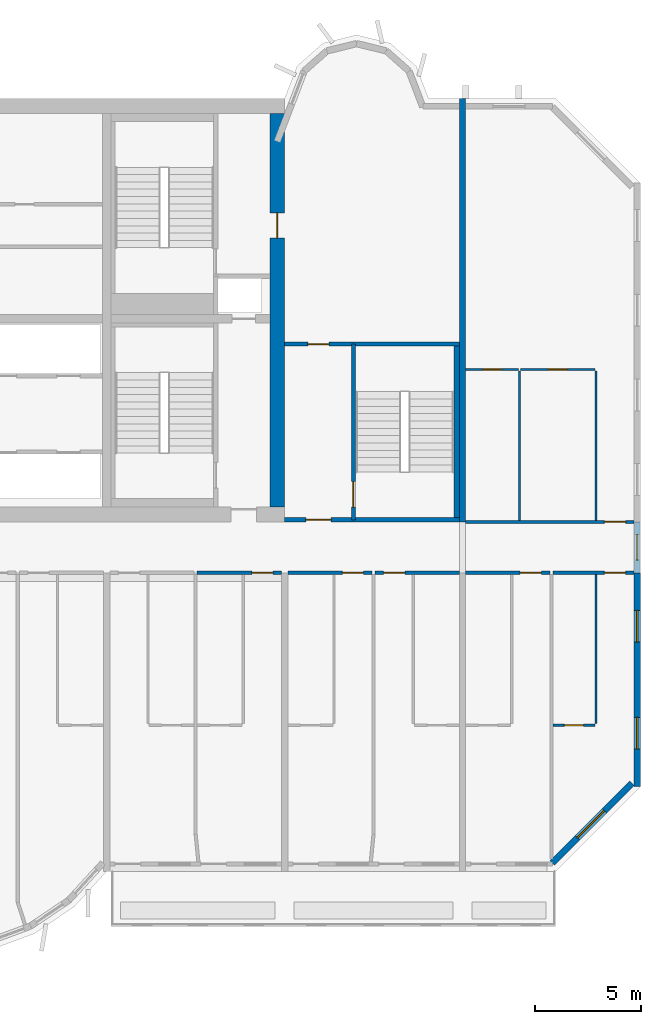
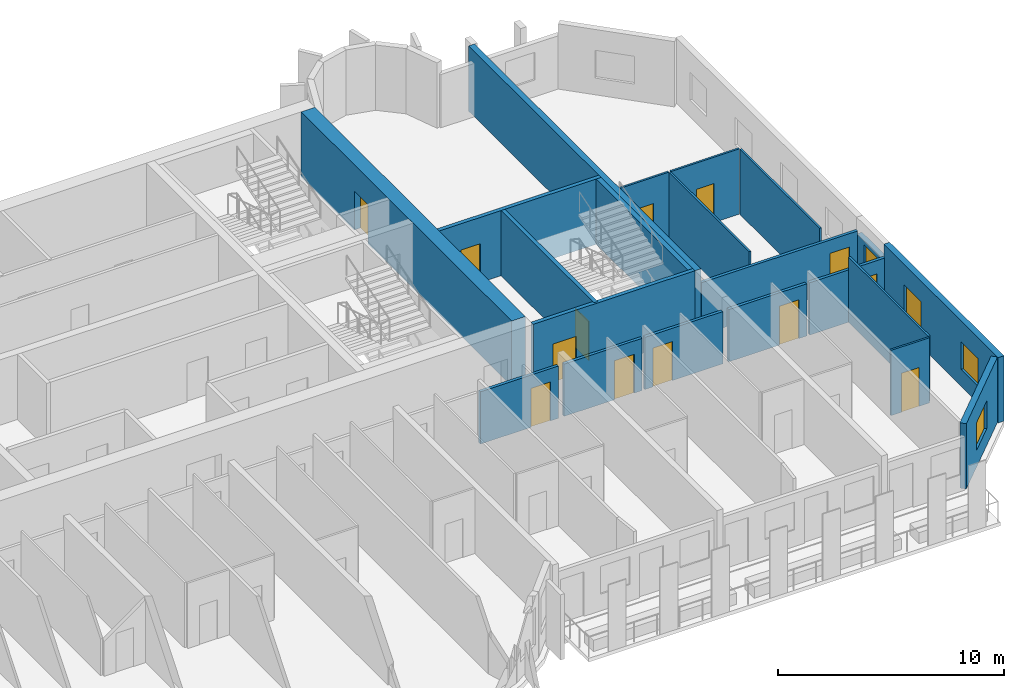
# One storey, part 9 of 13: 21 walls, 13 doors, 4 windows, 17 openings.
"""IFC4 building model written with IfcOpenShell, lengths in metres."""

from ifc_helpers import new_model, si_unit, direction, frame, frame_2d, origin, place, context, subcontext, project, spatial, rectangle, extrude, source, transform, mapped, material, layer, layer_set, type_object, element, fill, save


model = new_model("IFC4")

# Units and contexts
model_context = context("Model", 3, precision=1e-05, world=origin(), true_north=direction((0.0, 1.0)))
body_context = subcontext(model_context, "Body", "Model", "MODEL_VIEW")
ifc_project = project(units=[si_unit("LENGTHUNIT", "METRE"), si_unit("AREAUNIT", "SQUARE_METRE"), si_unit("VOLUMEUNIT", "CUBIC_METRE"), si_unit("PLANEANGLEUNIT", "RADIAN"), si_unit("MASSUNIT", "GRAM", prefix="KILO")], contexts=[model_context])

# Site, building, storey
site_placement = place(None, origin())
site = spatial("IfcSite", under=ifc_project, at=site_placement, CompositionType="ELEMENT")
building_placement = place(site_placement, origin())
building = spatial("IfcBuilding", under=site, at=building_placement, Name="Vanashikhar Sky Hotel", CompositionType="ELEMENT")
storey_placement = place(building_placement, frame((0.0, 0.0, 178.199951171875)))
storey = spatial("IfcBuildingStorey", under=building, at=storey_placement, Name="L43", CompositionType="ELEMENT", Elevation=178.199951171875)

# Wall, opening, door
ifc_material_1 = material(Name="Concrete M60", Category="concrete")
ifc_layer_1 = layer(ifc_material_1, 0.699951171875)
ifc_layer_set_1 = layer_set([ifc_layer_1], Name="RC core shell wall 700 Concrete M60")
wall_type_1 = type_object("IfcWallType", Name="RC core shell wall 700 Concrete M60", PredefinedType="SHEAR", material=ifc_layer_set_1)
shared_shape_1 = source(origin(), body_context, "Body", "SweptSolid", [
    extrude(rectangle(XDim=18.60009765625, YDim=0.699951171875, at=frame_2d((9.300048828125, 0.0))), origin(), (0.0, 0.0, 1.0), 3.52001953125),
])
wall_1_placement = place(storey_placement, frame((75.25, 22.699951171875, 0.0), z_axis=(0.0, 0.0, 1.0), x_axis=(0.0, 1.0, 0.0)))
wall_1 = element("IfcWall", 1, at=wall_1_placement, inside=storey, type_object=wall_type_1, Name="KW-L43-KE", PredefinedType="SHEAR", context=body_context, shape_type="MappedRepresentation", body=[
    mapped(shared_shape_1, transform((0.0, 0.0, 0.0), scale=1.0)),
])
shared_shape_2 = source(origin(), body_context, "Body", "SweptSolid", [
    extrude(rectangle(XDim=1.199951171875, YDim=2.10009765625, at=frame_2d((0.60009765625, 1.050048828125))), frame((0.0, 0.35986328125, 0.0), z_axis=(0.0, -1.0, 0.0), x_axis=(1.0, 0.0, 0.0)), (0.0, 0.0, 1.0), 0.719970703125),
])
opening_1_placement = place(wall_1_placement, frame((12.699951171875, 0.0, 0.0)))
opening_1 = element("IfcOpeningElement", 2, at=opening_1_placement, cuts=wall_1, Name="Opening DC-4-D", PredefinedType="OPENING", context=body_context, shape_type="MappedRepresentation", body=[
    mapped(shared_shape_2, transform((0.0, 0.0, 0.0), scale=1.0)),
])
ifc_material_2 = material(Name="Steel", Category="steel")
door_type_1 = type_object("IfcDoorType", Name="Service door 1200 FD120", OperationType="NOTDEFINED", PredefinedType="DOOR", material=ifc_material_2)
shared_shape_3 = source(origin(), body_context, "Body", "SweptSolid", [
    extrude(rectangle(XDim=1.199951171875, YDim=2.10009765625, at=frame_2d((0.60009765625, 1.050048828125))), frame((0.0, 0.02490234375, 0.0), z_axis=(0.0, -1.0, 0.0), x_axis=(1.0, 0.0, 0.0)), (0.0, 0.0, 1.0), 0.050048828125),
])
door_1_placement = place(opening_1_placement, origin())
door_1 = element("IfcDoor", 3, at=door_1_placement, inside=storey, type_object=door_type_1, Name="Service door 1200 FD120", OperationType="SINGLE_SWING_LEFT", OverallHeight=2.10009765625, OverallWidth=1.199951171875, PredefinedType="DOOR", context=body_context, shape_type="MappedRepresentation", body=[
    mapped(shared_shape_3, transform((0.0, 0.0, 0.0), scale=1.0)),
])
fill(opening_1, door_1)

# Wall, openings, windows
ifc_layer_2 = layer(ifc_material_1, 0.300048828125)
ifc_layer_set_2 = layer_set([ifc_layer_2], Name="RC shear wall 300 Concrete M60")
wall_type_2 = type_object("IfcWallType", Name="RC shear wall 300 Concrete M60", PredefinedType="SHEAR", material=ifc_layer_set_2)
shared_shape_4 = source(origin(), body_context, "Body", "SweptSolid", [
    extrude(rectangle(XDim=10.10009765625, YDim=0.300048828125, at=frame_2d((5.050048828125, 0.0))), origin(), (0.0, 0.0, 1.0), 3.52001953125),
])
wall_2_placement = place(storey_placement, frame((92.25, 9.5, 0.0), z_axis=(0.0, 0.0, 1.0), x_axis=(0.0, 1.0, 0.0)))
wall_2 = element("IfcWall", 4, at=wall_2_placement, inside=storey, type_object=wall_type_2, Name="CW-L43-XW12-1", PredefinedType="SHEAR", context=body_context, shape_type="MappedRepresentation", body=[
    mapped(shared_shape_4, transform((0.0, 0.0, 0.0), scale=1.0)),
])
shared_shape_5 = source(origin(), body_context, "Body", "SweptSolid", [
    extrude(rectangle(XDim=1.5, YDim=1.5, at=frame_2d((0.75, 0.75))), frame((0.0, 0.16015625, 0.0), z_axis=(0.0, -1.0, 0.0), x_axis=(1.0, 0.0, 0.0)), (0.0, 0.0, 1.0), 0.320068359375),
])
opening_2_placement = place(wall_2_placement, frame((1.77490234375, 0.0, 0.89990234375)))
opening_2 = element("IfcOpeningElement", 5, at=opening_2_placement, cuts=wall_2, Name="Opening WN-1", PredefinedType="OPENING", context=body_context, shape_type="MappedRepresentation", body=[
    mapped(shared_shape_5, transform((0.0, 0.0, 0.0), scale=1.0)),
])
opening_3_placement = place(wall_2_placement, frame((6.824951171875, 0.0, 0.89990234375)))
opening_3 = element("IfcOpeningElement", 6, at=opening_3_placement, cuts=wall_2, Name="Opening WN-1", PredefinedType="OPENING", context=body_context, shape_type="MappedRepresentation", body=[
    mapped(shared_shape_5, transform((0.0, 0.0, 0.0), scale=1.0)),
])
ifc_material_3 = material(Name="Glass", Category="glass")
window_type_1 = type_object("IfcWindowType", Name="Window 1500 x 1500", PartitioningType="SINGLE_PANEL", PredefinedType="WINDOW", material=ifc_material_3)
shared_shape_6 = source(origin(), body_context, "Body", "SweptSolid", [
    extrude(rectangle(XDim=1.5, YDim=1.5, at=frame_2d((0.75, 0.75))), frame((0.0, 0.030029296875, 0.0), z_axis=(0.0, -1.0, 0.0), x_axis=(1.0, 0.0, 0.0)), (0.0, 0.0, 1.0), 0.06005859375),
])
window_1_placement = place(opening_2_placement, origin())
window_1 = element("IfcWindow", 7, at=window_1_placement, inside=storey, type_object=window_type_1, Name="Window WN-1", OverallHeight=1.5, OverallWidth=1.5, PartitioningType="SINGLE_PANEL", PredefinedType="WINDOW", context=body_context, shape_type="MappedRepresentation", body=[
    mapped(shared_shape_6, transform((0.0, 0.0, 0.0), scale=1.0)),
])
fill(opening_2, window_1)
window_2_placement = place(opening_3_placement, origin())
window_2 = element("IfcWindow", 8, at=window_2_placement, inside=storey, type_object=window_type_1, Name="Window WN-1", OverallHeight=1.5, OverallWidth=1.5, PartitioningType="SINGLE_PANEL", PredefinedType="WINDOW", context=body_context, shape_type="MappedRepresentation", body=[
    mapped(shared_shape_6, transform((0.0, 0.0, 0.0), scale=1.0)),
])
fill(opening_3, window_2)

# Wall
shared_shape_7 = source(origin(), body_context, "Body", "SweptSolid", [
    extrude(rectangle(XDim=20.0, YDim=0.300048828125, at=frame_2d((10.0, 0.0))), origin(), (0.0, 0.0, 1.0), 3.52001953125),
])
wall_3_placement = place(storey_placement, frame((84.0, 22.0, 0.0), z_axis=(0.0, 0.0, 1.0), x_axis=(0.0, 1.0, 0.0)))
element("IfcWall", 9, at=wall_3_placement, inside=storey, type_object=wall_type_2, Name="CW-L43-XW11-2", PredefinedType="SHEAR", context=body_context, shape_type="MappedRepresentation", body=[
    mapped(shared_shape_7, transform((0.0, 0.0, 0.0), scale=1.0)),
])

# Wall, opening, window
ifc_material_4 = material(Name="Concrete M50", Category="concrete")
ifc_layer_3 = layer(ifc_material_4, 0.300048828125)
ifc_layer_set_3 = layer_set([ifc_layer_3], Name="Lobe wall 300")
wall_type_3 = type_object("IfcWallType", Name="Lobe wall 300", PredefinedType="SOLIDWALL", material=ifc_layer_set_3)
shared_shape_8 = source(origin(), body_context, "Body", "SweptSolid", [
    extrude(rectangle(XDim=5.32568359375, YDim=0.300048828125, at=frame_2d((2.662841796875, 0.0))), origin(), (0.0, 0.0, 1.0), 3.52001953125),
])
wall_4_placement = place(storey_placement, frame((88.234375, 5.89990234375, 0.0), z_axis=(0.0, 0.0, 1.0), x_axis=(0.707083859269, 0.707129702361, 0.0)))
wall_4 = element("IfcWall", 10, at=wall_4_placement, inside=storey, type_object=wall_type_3, Name="Corner wall", PredefinedType="SOLIDWALL", context=body_context, shape_type="MappedRepresentation", body=[
    mapped(shared_shape_8, transform((0.0, 0.0, 0.0), scale=1.0)),
])
shared_shape_9 = source(origin(), body_context, "Body", "SweptSolid", [
    extrude(rectangle(XDim=1.800048828125, YDim=1.5, at=frame_2d((0.89990234375, 0.75))), frame((0.0, 0.16015625, 0.0), z_axis=(0.0, -1.0, 0.0), x_axis=(1.0, 0.0, 0.0)), (0.0, 0.0, 1.0), 0.320068359375),
])
opening_4_placement = place(wall_4_placement, frame((1.689453125, 0.0, 0.89990234375)))
opening_4 = element("IfcOpeningElement", 11, at=opening_4_placement, cuts=wall_4, Name="Opening WN-4", PredefinedType="OPENING", context=body_context, shape_type="MappedRepresentation", body=[
    mapped(shared_shape_9, transform((0.0, 0.0, 0.0), scale=1.0)),
])
window_type_2 = type_object("IfcWindowType", Name="Corner window 1800 x 1500", PartitioningType="SINGLE_PANEL", PredefinedType="WINDOW", material=ifc_material_3)
shared_shape_10 = source(origin(), body_context, "Body", "SweptSolid", [
    extrude(rectangle(XDim=1.800048828125, YDim=1.5, at=frame_2d((0.89990234375, 0.75))), frame((0.0, 0.030029296875, 0.0), z_axis=(0.0, -1.0, 0.0), x_axis=(1.0, 0.0, 0.0)), (0.0, 0.0, 1.0), 0.06005859375),
])
window_3_placement = place(opening_4_placement, origin())
window_3 = element("IfcWindow", 12, at=window_3_placement, inside=storey, type_object=window_type_2, Name="Window WN-4", OverallHeight=1.5, OverallWidth=1.800048828125, PartitioningType="SINGLE_PANEL", PredefinedType="WINDOW", context=body_context, shape_type="MappedRepresentation", body=[
    mapped(shared_shape_10, transform((0.0, 0.0, 0.0), scale=1.0)),
])
fill(opening_4, window_3)

ifc_layer_4 = layer(ifc_material_4, 0.25)
ifc_layer_set_4 = layer_set([ifc_layer_4], Name="Rear and end board-marked wall 250")
wall_type_4 = type_object("IfcWallType", Name="Rear and end board-marked wall 250", PredefinedType="SOLIDWALL", material=ifc_layer_set_4)
shared_shape_11 = source(origin(), body_context, "Body", "SweptSolid", [
    extrude(rectangle(XDim=2.39990234375, YDim=0.25, at=frame_2d((1.199951171875, 0.0))), origin(), (0.0, 0.0, 1.0), 2.6201171875),
])
wall_5_placement = place(storey_placement, frame((92.25, 19.60009765625, 0.0), z_axis=(0.0, 0.0, 1.0), x_axis=(0.0, 1.0, 0.0)))
wall_5 = element("IfcWall", 13, at=wall_5_placement, inside=storey, type_object=wall_type_4, Name="End corridor infill wall", PredefinedType="SOLIDWALL", context=body_context, shape_type="MappedRepresentation", body=[
    mapped(shared_shape_11, transform((0.0, 0.0, 0.0), scale=1.0)),
])
shared_shape_12 = source(origin(), body_context, "Body", "SweptSolid", [
    extrude(rectangle(XDim=1.199951171875, YDim=1.5, at=frame_2d((0.60009765625, 0.75))), frame((0.0, 0.135009765625, 0.0), z_axis=(0.0, -1.0, 0.0), x_axis=(1.0, 0.0, 0.0)), (0.0, 0.0, 1.0), 0.27001953125),
])
opening_5_placement = place(wall_5_placement, frame((0.60009765625, 0.0, 0.89990234375)))
opening_5 = element("IfcOpeningElement", 14, at=opening_5_placement, cuts=wall_5, Name="Opening WN-3", PredefinedType="OPENING", context=body_context, shape_type="MappedRepresentation", body=[
    mapped(shared_shape_12, transform((0.0, 0.0, 0.0), scale=1.0)),
])
window_type_3 = type_object("IfcWindowType", Name="Corridor end window 1200 x 1500", PartitioningType="SINGLE_PANEL", PredefinedType="WINDOW", material=ifc_material_3)
shared_shape_13 = source(origin(), body_context, "Body", "SweptSolid", [
    extrude(rectangle(XDim=1.199951171875, YDim=1.5, at=frame_2d((0.60009765625, 0.75))), frame((0.0, 0.030029296875, 0.0), z_axis=(0.0, -1.0, 0.0), x_axis=(1.0, 0.0, 0.0)), (0.0, 0.0, 1.0), 0.06005859375),
])
window_4_placement = place(opening_5_placement, origin())
window_4 = element("IfcWindow", 15, at=window_4_placement, inside=storey, type_object=window_type_3, Name="Window WN-3", OverallHeight=1.5, OverallWidth=1.199951171875, PartitioningType="SINGLE_PANEL", PredefinedType="WINDOW", context=body_context, shape_type="MappedRepresentation", body=[
    mapped(shared_shape_13, transform((0.0, 0.0, 0.0), scale=1.0)),
])
fill(opening_5, window_4)

# Wall, opening, door
ifc_layer_5 = layer(ifc_material_4, 0.199951171875)
ifc_layer_set_5 = layer_set([ifc_layer_5], Name="Stair wall 200")
wall_type_5 = type_object("IfcWallType", Name="Stair wall 200", PredefinedType="SOLIDWALL", material=ifc_layer_set_5)
shared_shape_14 = source(origin(), body_context, "Body", "SweptSolid", [
    extrude(rectangle(XDim=8.2998046875, YDim=0.199951171875, at=frame_2d((4.14990234375, 0.0))), origin(), (0.0, 0.0, 1.0), 3.52001953125),
])
wall_6_placement = place(storey_placement, frame((78.85009765625, 22.10009765625, 0.0), z_axis=(0.0, 0.0, 1.0), x_axis=(0.0, 1.0, 0.0)))
wall_6 = element("IfcWall", 16, at=wall_6_placement, inside=storey, type_object=wall_type_5, Name="Stair wall 200", PredefinedType="SOLIDWALL", context=body_context, shape_type="MappedRepresentation", body=[
    mapped(shared_shape_14, transform((0.0, 0.0, 0.0), scale=1.0)),
])
shared_shape_15 = source(origin(), body_context, "Body", "SweptSolid", [
    extrude(rectangle(XDim=1.199951171875, YDim=2.10009765625, at=frame_2d((0.60009765625, 1.050048828125))), frame((0.0, 0.10986328125, 0.0), z_axis=(0.0, -1.0, 0.0), x_axis=(1.0, 0.0, 0.0)), (0.0, 0.0, 1.0), 0.219970703125),
])
opening_6_placement = place(wall_6_placement, frame((0.60009765625, 0.0, 0.0)))
opening_6 = element("IfcOpeningElement", 17, at=opening_6_placement, cuts=wall_6, Name="Opening DC-1", PredefinedType="OPENING", context=body_context, shape_type="MappedRepresentation", body=[
    mapped(shared_shape_15, transform((0.0, 0.0, 0.0), scale=1.0)),
])
door_type_2 = type_object("IfcDoorType", Name="Stair door 1200 FD120", OperationType="NOTDEFINED", PredefinedType="DOOR", material=ifc_material_2)
door_2_placement = place(opening_6_placement, origin())
door_2 = element("IfcDoor", 18, at=door_2_placement, inside=storey, type_object=door_type_2, Name="Stair door 1200 FD120", OperationType="SINGLE_SWING_RIGHT", OverallHeight=2.10009765625, OverallWidth=1.199951171875, PredefinedType="DOOR", context=body_context, shape_type="MappedRepresentation", body=[
    mapped(shared_shape_3, transform((0.0, 0.0, 0.0), scale=1.0)),
])
fill(opening_6, door_2)

shared_shape_16 = source(origin(), body_context, "Body", "SweptSolid", [
    extrude(rectangle(XDim=8.25, YDim=0.199951171875, at=frame_2d((4.125, 0.0))), origin(), (0.0, 0.0, 1.0), 3.52001953125),
])
wall_7_placement = place(storey_placement, frame((83.85009765625, 22.10009765625, 0.0), z_axis=(0.0, 0.0, 1.0), x_axis=(-1.0, 0.0, 0.0)))
wall_7 = element("IfcWall", 19, at=wall_7_placement, inside=storey, type_object=wall_type_5, Name="Stair wall 200", PredefinedType="SOLIDWALL", context=body_context, shape_type="MappedRepresentation", body=[
    mapped(shared_shape_16, transform((0.0, 0.0, 0.0), scale=1.0)),
])
opening_7_placement = place(wall_7_placement, frame((6.050048828125, 0.0, 0.0)))
opening_7 = element("IfcOpeningElement", 20, at=opening_7_placement, cuts=wall_7, Name="Opening DC-2", PredefinedType="OPENING", context=body_context, shape_type="MappedRepresentation", body=[
    mapped(shared_shape_15, transform((0.0, 0.0, 0.0), scale=1.0)),
])
door_type_3 = type_object("IfcDoorType", Name="Firefighting lobby door 1200 FD120", OperationType="NOTDEFINED", PredefinedType="DOOR", material=ifc_material_2)
door_3_placement = place(opening_7_placement, origin())
door_3 = element("IfcDoor", 21, at=door_3_placement, inside=storey, type_object=door_type_3, Name="Firefighting lobby door 1200 FD120", OperationType="SINGLE_SWING_LEFT", OverallHeight=2.10009765625, OverallWidth=1.199951171875, PredefinedType="DOOR", context=body_context, shape_type="MappedRepresentation", body=[
    mapped(shared_shape_3, transform((0.0, 0.0, 0.0), scale=1.0)),
])
fill(opening_7, door_3)

wall_8_placement = place(storey_placement, frame((83.85009765625, 30.39990234375, 0.0), z_axis=(0.0, 0.0, 1.0), x_axis=(-1.0, 0.0, 0.0)))
wall_8 = element("IfcWall", 22, at=wall_8_placement, inside=storey, type_object=wall_type_5, Name="Stair wall 200", PredefinedType="SOLIDWALL", context=body_context, shape_type="MappedRepresentation", body=[
    mapped(shared_shape_16, transform((0.0, 0.0, 0.0), scale=1.0)),
])
shared_shape_17 = source(origin(), body_context, "Body", "SweptSolid", [
    extrude(rectangle(XDim=1.0, YDim=2.10009765625, at=frame_2d((0.5, 1.050048828125))), frame((0.0, 0.10986328125, 0.0), z_axis=(0.0, -1.0, 0.0), x_axis=(1.0, 0.0, 0.0)), (0.0, 0.0, 1.0), 0.219970703125),
])
opening_8_placement = place(wall_8_placement, frame((6.14990234375, 0.0, 0.0)))
opening_8 = element("IfcOpeningElement", 23, at=opening_8_placement, cuts=wall_8, Name="Opening DC-6", PredefinedType="OPENING", context=body_context, shape_type="MappedRepresentation", body=[
    mapped(shared_shape_17, transform((0.0, 0.0, 0.0), scale=1.0)),
])
door_type_4 = type_object("IfcDoorType", Name="Pocket door 1000 FD60", OperationType="NOTDEFINED", PredefinedType="DOOR", material=ifc_material_2)
shared_shape_18 = source(origin(), body_context, "Body", "SweptSolid", [
    extrude(rectangle(XDim=1.0, YDim=2.10009765625, at=frame_2d((0.5, 1.050048828125))), frame((0.0, 0.02490234375, 0.0), z_axis=(0.0, -1.0, 0.0), x_axis=(1.0, 0.0, 0.0)), (0.0, 0.0, 1.0), 0.050048828125),
])
door_4_placement = place(opening_8_placement, origin())
door_4 = element("IfcDoor", 24, at=door_4_placement, inside=storey, type_object=door_type_4, Name="Pocket door 1000 FD60", OperationType="SINGLE_SWING_LEFT", OverallHeight=2.10009765625, OverallWidth=1.0, PredefinedType="DOOR", context=body_context, shape_type="MappedRepresentation", body=[
    mapped(shared_shape_18, transform((0.0, 0.0, 0.0), scale=1.0)),
])
fill(opening_8, door_4)

# Walls
ifc_layer_6 = layer(ifc_material_4, 0.25)
ifc_layer_set_6 = layer_set([ifc_layer_6], Name="Stair infill wall 250")
wall_type_6 = type_object("IfcWallType", Name="Stair infill wall 250", PredefinedType="SOLIDWALL", material=ifc_layer_set_6)
shared_shape_19 = source(origin(), body_context, "Body", "SweptSolid", [
    extrude(rectangle(XDim=8.10009765625, YDim=0.25, at=frame_2d((4.050048828125, 0.0))), origin(), (0.0, 0.0, 1.0), 3.52001953125),
])
wall_9_placement = place(storey_placement, frame((83.72509765625, 22.199951171875, 0.0), z_axis=(0.0, 0.0, 1.0), x_axis=(0.0, 1.0, 0.0)))
element("IfcWall", 25, at=wall_9_placement, inside=storey, type_object=wall_type_6, Name="Stair infill wall 250", PredefinedType="SOLIDWALL", context=body_context, shape_type="MappedRepresentation", body=[
    mapped(shared_shape_19, transform((0.0, 0.0, 0.0), scale=1.0)),
])
ifc_material_5 = material(Name="Gypsum plasterboard partition")
ifc_layer_7 = layer(ifc_material_5, 0.10009765625)
ifc_layer_set_7 = layer_set([ifc_layer_7], Name="Wet room partition 100")
wall_type_7 = type_object("IfcWallType", Name="Wet room partition 100", PredefinedType="PARTITIONING", material=ifc_layer_set_7)
shared_shape_20 = source(origin(), body_context, "Body", "SweptSolid", [
    extrude(rectangle(XDim=7.0498046875, YDim=0.10009765625, at=frame_2d((3.52490234375, 0.0))), origin(), (0.0, 0.0, 1.0), 3.52001953125),
])
wall_10_placement = place(storey_placement, frame((90.300048828125, 12.47509765625, 0.0), z_axis=(0.0, 0.0, 1.0), x_axis=(0.0, 1.0, 0.0)))
element("IfcWall", 26, at=wall_10_placement, inside=storey, type_object=wall_type_7, Name="W-L43-PW065", PredefinedType="PARTITIONING", context=body_context, shape_type="MappedRepresentation", body=[
    mapped(shared_shape_20, transform((0.0, 0.0, 0.0), scale=1.0)),
])
shared_shape_21 = source(origin(), body_context, "Body", "SweptSolid", [
    extrude(rectangle(XDim=7.050048828125, YDim=0.10009765625, at=frame_2d((3.52490234375, 0.0))), origin(), (0.0, 0.0, 1.0), 3.52001953125),
])
for number, where, z_axis, x_axis, name in (
    (27, (90.300048828125, 22.074951171875, 0.0), (0.0, 0.0, 1.0), (0.0, 1.0, 0.0), "W-L43-PW078"),
    (28, (86.699951171875, 22.074951171875, 0.0), (0.0, 0.0, 1.0), (0.0, 1.0, 0.0), "W-L43-PW079"),
):
    element("IfcWall", number, at=place(storey_placement, frame(where, z_axis=z_axis, x_axis=x_axis)), inside=storey, type_object=wall_type_7, Name=name, PredefinedType="PARTITIONING", context=body_context, shape_type="MappedRepresentation", body=[
        mapped(shared_shape_21, transform((0.0, 0.0, 0.0), scale=1.0)),
    ])

# Wall, opening, door
shared_shape_22 = source(origin(), body_context, "Body", "SweptSolid", [
    extrude(rectangle(XDim=3.5, YDim=0.10009765625, at=frame_2d((1.75, 0.0))), origin(), (0.0, 0.0, 1.0), 3.52001953125),
])
wall_11_placement = place(storey_placement, frame((86.75, 29.199951171875, 0.0), z_axis=(0.0, 0.0, 1.0), x_axis=(1.0, 0.0, 0.0)))
wall_11 = element("IfcWall", 29, at=wall_11_placement, inside=storey, type_object=wall_type_7, Name="W-L43-PW080", PredefinedType="PARTITIONING", context=body_context, shape_type="MappedRepresentation", body=[
    mapped(shared_shape_22, transform((0.0, 0.0, 0.0), scale=1.0)),
])
shared_shape_23 = source(origin(), body_context, "Body", "SweptSolid", [
    extrude(rectangle(XDim=0.89990234375, YDim=2.10009765625, at=frame_2d((0.449951171875, 1.050048828125))), frame((0.0, 0.06005859375, 0.0), z_axis=(0.0, -1.0, 0.0), x_axis=(1.0, 0.0, 0.0)), (0.0, 0.0, 1.0), 0.1201171875),
])
opening_9_placement = place(wall_11_placement, frame((1.300048828125, 0.0, 0.0)))
opening_9 = element("IfcOpeningElement", 30, at=opening_9_placement, cuts=wall_11, Name="Opening D-02", PredefinedType="OPENING", context=body_context, shape_type="MappedRepresentation", body=[
    mapped(shared_shape_23, transform((0.0, 0.0, 0.0), scale=1.0)),
])
ifc_material_6 = material(Name="Timber door", Category="wood")
door_type_5 = type_object("IfcDoorType", Name="Internal door 900", OperationType="NOTDEFINED", PredefinedType="DOOR", material=ifc_material_6)
shared_shape_24 = source(origin(), body_context, "Body", "SweptSolid", [
    extrude(rectangle(XDim=0.89990234375, YDim=2.10009765625, at=frame_2d((0.449951171875, 1.050048828125))), frame((0.0, 0.02490234375, 0.0), z_axis=(0.0, -1.0, 0.0), x_axis=(1.0, 0.0, 0.0)), (0.0, 0.0, 1.0), 0.050048828125),
])
door_5_placement = place(opening_9_placement, origin())
door_5 = element("IfcDoor", 31, at=door_5_placement, inside=storey, type_object=door_type_5, Name="D-L43-044", OperationType="SINGLE_SWING_RIGHT", OverallHeight=2.10009765625, OverallWidth=0.89990234375, PredefinedType="DOOR", context=body_context, shape_type="MappedRepresentation", body=[
    mapped(shared_shape_24, transform((0.0, 0.0, 0.0), scale=1.0)),
])
fill(opening_9, door_5)

shared_shape_25 = source(origin(), body_context, "Body", "SweptSolid", [
    extrude(rectangle(XDim=2.5, YDim=0.10009765625, at=frame_2d((1.25, 0.0))), origin(), (0.0, 0.0, 1.0), 3.52001953125),
])
wall_12_placement = place(storey_placement, frame((84.14990234375, 29.199951171875, 0.0), z_axis=(0.0, 0.0, 1.0), x_axis=(1.0, 0.0, 0.0)))
wall_12 = element("IfcWall", 32, at=wall_12_placement, inside=storey, type_object=wall_type_7, Name="W-L43-PW081", PredefinedType="PARTITIONING", context=body_context, shape_type="MappedRepresentation", body=[
    mapped(shared_shape_25, transform((0.0, 0.0, 0.0), scale=1.0)),
])
opening_10_placement = place(wall_12_placement, frame((0.800048828125, 0.0, 0.0)))
opening_10 = element("IfcOpeningElement", 33, at=opening_10_placement, cuts=wall_12, Name="Opening D-02", PredefinedType="OPENING", context=body_context, shape_type="MappedRepresentation", body=[
    mapped(shared_shape_23, transform((0.0, 0.0, 0.0), scale=1.0)),
])
door_6_placement = place(opening_10_placement, origin())
door_6 = element("IfcDoor", 34, at=door_6_placement, inside=storey, type_object=door_type_5, Name="D-L43-045", OperationType="SINGLE_SWING_RIGHT", OverallHeight=2.10009765625, OverallWidth=0.89990234375, PredefinedType="DOOR", context=body_context, shape_type="MappedRepresentation", body=[
    mapped(shared_shape_24, transform((0.0, 0.0, 0.0), scale=1.0)),
])
fill(opening_10, door_6)

ifc_layer_8 = layer(ifc_material_5, 0.14990234375)
ifc_layer_set_8 = layer_set([ifc_layer_8], Name="Corridor and demising partition 150")
wall_type_8 = type_object("IfcWallType", Name="Corridor and demising partition 150", PredefinedType="PARTITIONING", material=ifc_layer_set_8)
shared_shape_26 = source(origin(), body_context, "Body", "SweptSolid", [
    extrude(rectangle(XDim=7.9501953125, YDim=0.14990234375, at=frame_2d((3.97509765625, 0.0))), origin(), (0.0, 0.0, 1.0), 2.820068359375),
])
wall_13_placement = place(storey_placement, frame((84.14990234375, 22.0, 0.0), z_axis=(0.0, 0.0, 1.0), x_axis=(1.0, 0.0, 0.0)))
wall_13 = element("IfcWall", 35, at=wall_13_placement, inside=storey, type_object=wall_type_8, Name="W-L43-PW082", PredefinedType="PARTITIONING", context=body_context, shape_type="MappedRepresentation", body=[
    mapped(shared_shape_26, transform((0.0, 0.0, 0.0), scale=1.0)),
])
shared_shape_27 = source(origin(), body_context, "Body", "SweptSolid", [
    extrude(rectangle(XDim=1.0, YDim=2.10009765625, at=frame_2d((0.5, 1.050048828125))), frame((0.0, 0.0849609375, 0.0), z_axis=(0.0, -1.0, 0.0), x_axis=(1.0, 0.0, 0.0)), (0.0, 0.0, 1.0), 0.169921875),
])
opening_11_placement = place(wall_13_placement, frame((6.550048828125, 0.0, 0.0)))
opening_11 = element("IfcOpeningElement", 36, at=opening_11_placement, cuts=wall_13, Name="Opening D-01", PredefinedType="OPENING", context=body_context, shape_type="MappedRepresentation", body=[
    mapped(shared_shape_27, transform((0.0, 0.0, 0.0), scale=1.0)),
])
ifc_material_7 = material(Name="Timber fire door", Category="wood")
door_type_6 = type_object("IfcDoorType", Name="Guest entry door 1000 FD30S", OperationType="NOTDEFINED", PredefinedType="DOOR", material=ifc_material_7)
door_7_placement = place(opening_11_placement, origin())
door_7 = element("IfcDoor", 37, at=door_7_placement, inside=storey, type_object=door_type_6, Name="D-L43-046", OperationType="SINGLE_SWING_RIGHT", OverallHeight=2.10009765625, OverallWidth=1.0, PredefinedType="DOOR", context=body_context, shape_type="MappedRepresentation", body=[
    mapped(shared_shape_18, transform((0.0, 0.0, 0.0), scale=1.0)),
])
fill(opening_11, door_7)

shared_shape_28 = source(origin(), body_context, "Body", "SweptSolid", [
    extrude(rectangle(XDim=1.97509765625, YDim=0.10009765625, at=frame_2d((0.987548828125, 0.0))), origin(), (0.0, 0.0, 1.0), 3.52001953125),
])
wall_14_placement = place(storey_placement, frame((88.27490234375, 12.39990234375, 0.0), z_axis=(0.0, 0.0, 1.0), x_axis=(1.0, 0.0, 0.0)))
wall_14 = element("IfcWall", 38, at=wall_14_placement, inside=storey, type_object=wall_type_7, Name="W-L43-PW066", PredefinedType="PARTITIONING", context=body_context, shape_type="MappedRepresentation", body=[
    mapped(shared_shape_28, transform((0.0, 0.0, 0.0), scale=1.0)),
])
opening_12_placement = place(wall_14_placement, frame((0.537109375, 0.0, 0.0)))
opening_12 = element("IfcOpeningElement", 39, at=opening_12_placement, cuts=wall_14, Name="Opening D-02", PredefinedType="OPENING", context=body_context, shape_type="MappedRepresentation", body=[
    mapped(shared_shape_23, transform((0.0, 0.0, 0.0), scale=1.0)),
])
door_8_placement = place(opening_12_placement, origin())
door_8 = element("IfcDoor", 40, at=door_8_placement, inside=storey, type_object=door_type_5, Name="D-L43-038", OperationType="SINGLE_SWING_RIGHT", OverallHeight=2.10009765625, OverallWidth=0.89990234375, PredefinedType="DOOR", context=body_context, shape_type="MappedRepresentation", body=[
    mapped(shared_shape_24, transform((0.0, 0.0, 0.0), scale=1.0)),
])
fill(opening_12, door_8)

shared_shape_29 = source(origin(), body_context, "Body", "SweptSolid", [
    extrude(rectangle(XDim=3.974853515625, YDim=0.14990234375, at=frame_2d((1.9873046875, 0.0))), origin(), (0.0, 0.0, 1.0), 2.820068359375),
])
wall_15_placement = place(storey_placement, frame((71.47509765625, 19.60009765625, 0.0), z_axis=(0.0, 0.0, 1.0), x_axis=(1.0, 0.0, 0.0)))
wall_15 = element("IfcWall", 41, at=wall_15_placement, inside=storey, type_object=wall_type_8, Name="W-L43-PW053", PredefinedType="PARTITIONING", context=body_context, shape_type="MappedRepresentation", body=[
    mapped(shared_shape_29, transform((0.0, 0.0, 0.0), scale=1.0)),
])
opening_13_placement = place(wall_15_placement, frame((2.574951171875, 0.0, 0.0)))
opening_13 = element("IfcOpeningElement", 42, at=opening_13_placement, cuts=wall_15, Name="Opening D-01", PredefinedType="OPENING", context=body_context, shape_type="MappedRepresentation", body=[
    mapped(shared_shape_27, transform((0.0, 0.0, 0.0), scale=1.0)),
])
door_9_placement = place(opening_13_placement, origin())
door_9 = element("IfcDoor", 43, at=door_9_placement, inside=storey, type_object=door_type_6, Name="D-L43-031", OperationType="SINGLE_SWING_RIGHT", OverallHeight=2.10009765625, OverallWidth=1.0, PredefinedType="DOOR", context=body_context, shape_type="MappedRepresentation", body=[
    mapped(shared_shape_18, transform((0.0, 0.0, 0.0), scale=1.0)),
])
fill(opening_13, door_9)

shared_shape_30 = source(origin(), body_context, "Body", "SweptSolid", [
    extrude(rectangle(XDim=3.97509765625, YDim=0.14990234375, at=frame_2d((1.987548828125, 0.0))), origin(), (0.0, 0.0, 1.0), 2.820068359375),
])
wall_16_placement = place(storey_placement, frame((75.75, 19.60009765625, 0.0), z_axis=(0.0, 0.0, 1.0), x_axis=(1.0, 0.0, 0.0)))
wall_16 = element("IfcWall", 44, at=wall_16_placement, inside=storey, type_object=wall_type_8, Name="W-L43-PW057", PredefinedType="PARTITIONING", context=body_context, shape_type="MappedRepresentation", body=[
    mapped(shared_shape_30, transform((0.0, 0.0, 0.0), scale=1.0)),
])
opening_14_placement = place(wall_16_placement, frame((2.574951171875, 0.0, 0.0)))
opening_14 = element("IfcOpeningElement", 45, at=opening_14_placement, cuts=wall_16, Name="Opening D-01", PredefinedType="OPENING", context=body_context, shape_type="MappedRepresentation", body=[
    mapped(shared_shape_27, transform((0.0, 0.0, 0.0), scale=1.0)),
])
door_10_placement = place(opening_14_placement, origin())
door_10 = element("IfcDoor", 46, at=door_10_placement, inside=storey, type_object=door_type_6, Name="D-L43-033", OperationType="SINGLE_SWING_RIGHT", OverallHeight=2.10009765625, OverallWidth=1.0, PredefinedType="DOOR", context=body_context, shape_type="MappedRepresentation", body=[
    mapped(shared_shape_18, transform((0.0, 0.0, 0.0), scale=1.0)),
])
fill(opening_14, door_10)

wall_17_placement = place(storey_placement, frame((79.875, 19.60009765625, 0.0), z_axis=(0.0, 0.0, 1.0), x_axis=(1.0, 0.0, 0.0)))
wall_17 = element("IfcWall", 47, at=wall_17_placement, inside=storey, type_object=wall_type_8, Name="W-L43-PW060", PredefinedType="PARTITIONING", context=body_context, shape_type="MappedRepresentation", body=[
    mapped(shared_shape_30, transform((0.0, 0.0, 0.0), scale=1.0)),
])
opening_15_placement = place(wall_17_placement, frame((0.39990234375, 0.0, 0.0)))
opening_15 = element("IfcOpeningElement", 48, at=opening_15_placement, cuts=wall_17, Name="Opening D-01", PredefinedType="OPENING", context=body_context, shape_type="MappedRepresentation", body=[
    mapped(shared_shape_27, transform((0.0, 0.0, 0.0), scale=1.0)),
])
door_11_placement = place(opening_15_placement, origin())
door_11 = element("IfcDoor", 49, at=door_11_placement, inside=storey, type_object=door_type_6, Name="D-L43-035", OperationType="SINGLE_SWING_LEFT", OverallHeight=2.10009765625, OverallWidth=1.0, PredefinedType="DOOR", context=body_context, shape_type="MappedRepresentation", body=[
    mapped(shared_shape_18, transform((0.0, 0.0, 0.0), scale=1.0)),
])
fill(opening_15, door_11)

wall_18_placement = place(storey_placement, frame((84.14990234375, 19.60009765625, 0.0), z_axis=(0.0, 0.0, 1.0), x_axis=(1.0, 0.0, 0.0)))
wall_18 = element("IfcWall", 50, at=wall_18_placement, inside=storey, type_object=wall_type_8, Name="W-L43-PW064", PredefinedType="PARTITIONING", context=body_context, shape_type="MappedRepresentation", body=[
    mapped(shared_shape_30, transform((0.0, 0.0, 0.0), scale=1.0)),
])
opening_16_placement = place(wall_18_placement, frame((2.574951171875, 0.0, 0.0)))
opening_16 = element("IfcOpeningElement", 51, at=opening_16_placement, cuts=wall_18, Name="Opening D-01", PredefinedType="OPENING", context=body_context, shape_type="MappedRepresentation", body=[
    mapped(shared_shape_27, transform((0.0, 0.0, 0.0), scale=1.0)),
])
door_12_placement = place(opening_16_placement, origin())
door_12 = element("IfcDoor", 52, at=door_12_placement, inside=storey, type_object=door_type_6, Name="D-L43-037", OperationType="SINGLE_SWING_RIGHT", OverallHeight=2.10009765625, OverallWidth=1.0, PredefinedType="DOOR", context=body_context, shape_type="MappedRepresentation", body=[
    mapped(shared_shape_18, transform((0.0, 0.0, 0.0), scale=1.0)),
])
fill(opening_16, door_12)

shared_shape_31 = source(origin(), body_context, "Body", "SweptSolid", [
    extrude(rectangle(XDim=3.8251953125, YDim=0.14990234375, at=frame_2d((1.91259765625, 0.0))), origin(), (0.0, 0.0, 1.0), 2.820068359375),
])
wall_19_placement = place(storey_placement, frame((88.27490234375, 19.60009765625, 0.0), z_axis=(0.0, 0.0, 1.0), x_axis=(1.0, 0.0, 0.0)))
wall_19 = element("IfcWall", 53, at=wall_19_placement, inside=storey, type_object=wall_type_8, Name="W-L43-PW067", PredefinedType="PARTITIONING", context=body_context, shape_type="MappedRepresentation", body=[
    mapped(shared_shape_31, transform((0.0, 0.0, 0.0), scale=1.0)),
])
opening_17_placement = place(wall_19_placement, frame((2.425048828125, 0.0, 0.0)))
opening_17 = element("IfcOpeningElement", 54, at=opening_17_placement, cuts=wall_19, Name="Opening D-01", PredefinedType="OPENING", context=body_context, shape_type="MappedRepresentation", body=[
    mapped(shared_shape_27, transform((0.0, 0.0, 0.0), scale=1.0)),
])
door_13_placement = place(opening_17_placement, origin())
door_13 = element("IfcDoor", 55, at=door_13_placement, inside=storey, type_object=door_type_6, Name="D-L43-039", OperationType="SINGLE_SWING_RIGHT", OverallHeight=2.10009765625, OverallWidth=1.0, PredefinedType="DOOR", context=body_context, shape_type="MappedRepresentation", body=[
    mapped(shared_shape_18, transform((0.0, 0.0, 0.0), scale=1.0)),
])
fill(opening_17, door_13)

save(model, "model.ifc")
